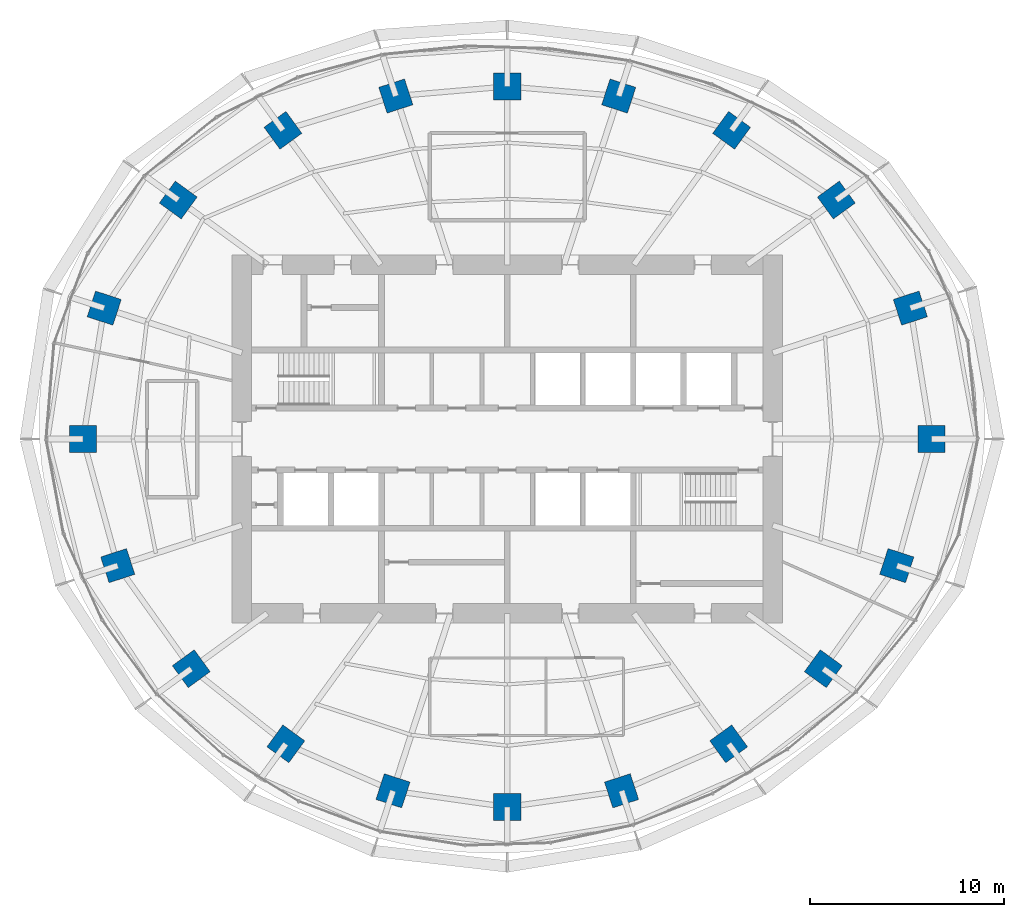
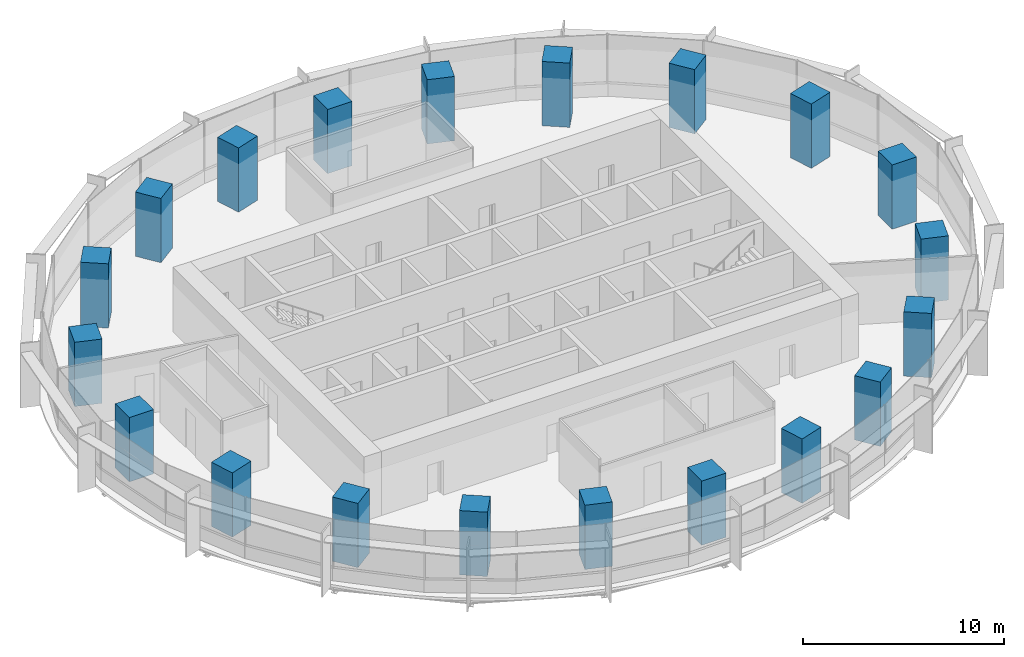
# One storey, part 1 of 14: 20 columns.
"""IFC4 building model written with IfcOpenShell, lengths in metres."""

from ifc_helpers import new_model, si_unit, direction, frame, origin, origin_2d, place, context, subcontext, project, spatial, rectangle, extrude, material, material_profile, profile_set, type_object, element, save


model = new_model("IFC4")

# Units and contexts
model_context = context("Model", 3, precision=1e-05, world=origin(), true_north=direction((0.0, 1.0)))
body_context = subcontext(model_context, "Body", "Model", "MODEL_VIEW")
ifc_project = project(units=[si_unit("LENGTHUNIT", "METRE"), si_unit("AREAUNIT", "SQUARE_METRE"), si_unit("VOLUMEUNIT", "CUBIC_METRE"), si_unit("PLANEANGLEUNIT", "RADIAN"), si_unit("MASSUNIT", "GRAM", prefix="KILO")], contexts=[model_context])

# Site, building, storey
site_placement = place(None, origin())
site = spatial("IfcSite", under=ifc_project, at=site_placement, CompositionType="ELEMENT")
building_placement = place(site_placement, origin())
building = spatial("IfcBuilding", under=site, at=building_placement, Name="Marramba Exchange Tower", CompositionType="ELEMENT")
storey_placement = place(building_placement, frame((0.0, 0.0, 218.89990234375)))
storey = spatial("IfcBuildingStorey", under=building, at=storey_placement, Name="L53", CompositionType="ELEMENT", Elevation=218.89990234375)

# Columns
ifc_material = material(Name="Concrete N50", Category="concrete")
ifc_material_profile = material_profile(ifc_material, rectangle(XDim=1.39990234375, YDim=1.39990234375, at=origin_2d()), Name="RC 1400x1400")
ifc_profile_set = profile_set([ifc_material_profile], Name="Concrete N50")
column_type = type_object("IfcColumnType", Name="Perimeter column RC 1400x1400 N50", PredefinedType="COLUMN", material=ifc_profile_set)
for number, where, z_axis, x_axis, name in (
    (1, (21.89990234375, 0.0, 0.0), (0.0, 0.0, 1.0), (1.0, 0.0, 0.0), "Column TC01 L53"),
    (2, (20.808349609375, 6.760986328125, 0.0), (0.0, 0.0, 1.0), (0.951056516295, 0.309016994375, 0.0), "Column TC02 L53"),
    (3, (16.98583984375, 12.3408203125, 0.0), (0.0, 0.0, 1.0), (0.809016994375, 0.587785252292, 0.0), "Column TC03 L53"),
    (4, (11.581298828125, 15.9404296875, 0.0), (0.0, 0.0, 1.0), (0.587785252292, 0.809016994375, 0.0), "Column TC04 L53"),
    (5, (5.75390625, 17.70849609375, 0.0), (0.0, 0.0, 1.0), (0.309016994375, 0.951056516295, 0.0), "Column TC05 L53"),
    (6, (0.0, 18.2041015625, 0.0), (0.0, 0.0, 1.0), (0.0, 1.0, 0.0), "Column TC06 L53"),
    (7, (-5.75390625, 17.70849609375, 0.0), (0.0, 0.0, 1.0), (-0.309016994375, 0.951056516295, 0.0), "Column TC07 L53"),
    (8, (-11.581298828125, 15.9404296875, 0.0), (0.0, 0.0, 1.0), (-0.587785252292, 0.809016994375, 0.0), "Column TC08 L53"),
    (9, (-16.98583984375, 12.3408203125, 0.0), (0.0, 0.0, 1.0), (-0.809016994375, 0.587785252292, 0.0), "Column TC09 L53"),
    (10, (-20.808349609375, 6.760986328125, 0.0), (0.0, 0.0, 1.0), (-0.951056516295, 0.309016994375, 0.0), "Column TC10 L53"),
    (11, (-21.89990234375, 0.0, 0.0), (0.0, 0.0, 1.0), (-1.0, 0.0, 0.0), "Column TC11 L53"),
    (12, (-20.109375, -6.533935546875, 0.0), (0.0, 0.0, 1.0), (-0.951056516295, -0.309016994375, 0.0), "Column TC12 L53"),
    (13, (-16.3154296875, -11.853759765625, 0.0), (0.0, 0.0, 1.0), (-0.809016994375, -0.587785252292, 0.0), "Column TC13 L53"),
    (14, (-11.430419921875, -15.732666015625, 0.0), (0.0, 0.0, 1.0), (-0.587785252292, -0.809016994375, 0.0), "Column TC14 L53"),
    (15, (-5.899658203125, -18.156982421875, 0.0), (0.0, 0.0, 1.0), (-0.309016994375, -0.951056516295, 0.0), "Column TC15 L53"),
    (16, (0.0, -18.99609375, 0.0), (0.0, 0.0, 1.0), (0.0, -1.0, 0.0), "Column TC16 L53"),
    (17, (5.899658203125, -18.156982421875, 0.0), (0.0, 0.0, 1.0), (0.309016994375, -0.951056516295, 0.0), "Column TC17 L53"),
    (18, (11.430419921875, -15.732666015625, 0.0), (0.0, 0.0, 1.0), (0.587785252292, -0.809016994375, 0.0), "Column TC18 L53"),
    (19, (16.3154296875, -11.853759765625, 0.0), (0.0, 0.0, 1.0), (0.809016994375, -0.587785252292, 0.0), "Column TC19 L53"),
    (20, (20.109375, -6.533935546875, 0.0), (0.0, 0.0, 1.0), (0.951056516295, -0.309016994375, 0.0), "Column TC20 L53"),
):
    element("IfcColumn", number, at=place(storey_placement, frame(where, z_axis=z_axis, x_axis=x_axis)), inside=storey, type_object=column_type, Name=name, PredefinedType="COLUMN", context=body_context, shape_type="SweptSolid", body=[
        extrude(rectangle(XDim=1.39990234375, YDim=1.39990234375, at=origin_2d()), origin(), (0.0, 0.0, 1.0), 3.900146484375),
    ])

save(model, "model.ifc")
